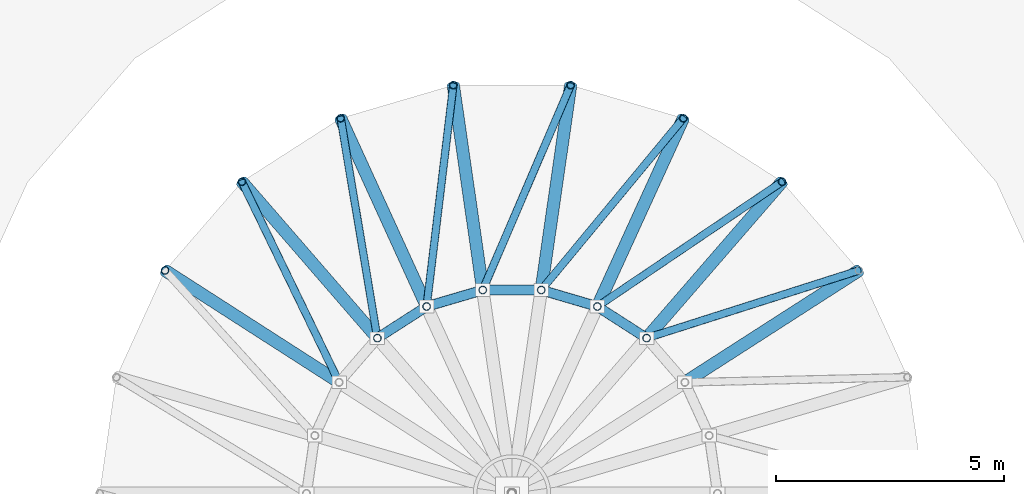
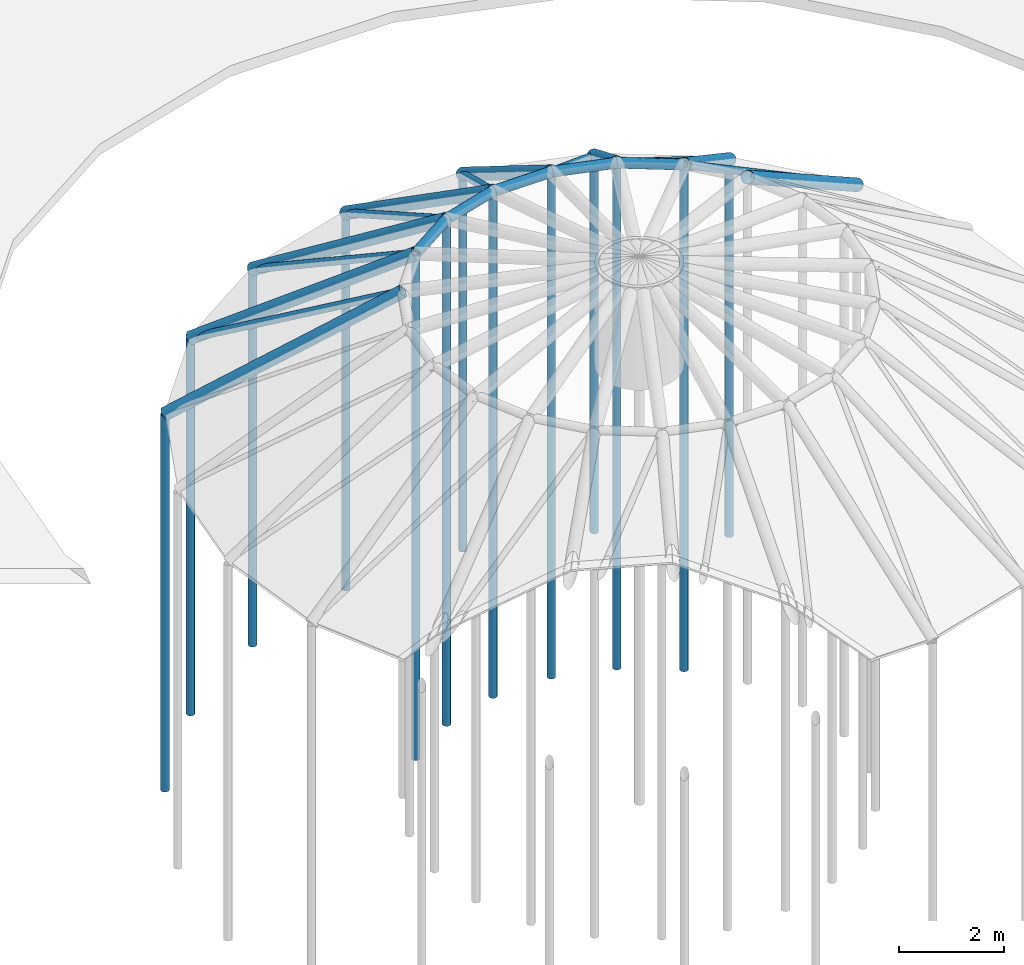
# One storey, part 4 of 8: 20 members, 13 beams.
"""IFC4 building model written with IfcOpenShell, lengths in metres."""

import ifcopenshell
import ifcopenshell.guid

model = None  # the IFC model being written
_history = None  # IfcOwnerHistory: only IFC2X3 demands one
_inside = {}  # id of a spatial element -> (the spatial element, [elements in it])
_under = {}  # id of a project, library or spatial element -> (it, [spatial elements below it])
_declared = {}  # id of a project -> (the project, [libraries it declares])
_typed = {}  # id of a type object -> (the type object, [elements of that type])
_made_of = {}  # id of a material, layer set ... -> (it, [elements and type objects made of it])


def new_model(schema):
    """Start an empty IFC model of exactly this schema.

    Asked for "IFC4X3", IfcOpenShell would pick the latest addendum, in which some entities
    have other attributes; the version numbers below select the first issue.
    IFC2X3 requires an IfcOwnerHistory on every rooted entity: one is made here for all.
    """
    global model, _history
    if schema == "IFC4X3":
        model = ifcopenshell.file(schema_version=(4, 3, 0, 0))
    else:
        model = ifcopenshell.file(schema=schema)
    _inside.clear()
    _under.clear()
    _declared.clear()
    _typed.clear()
    _made_of.clear()
    _history = None
    if model.schema == "IFC2X3":
        org = make("IfcOrganization", Name="unknown")
        user = make(
            "IfcPersonAndOrganization",
            ThePerson=make("IfcPerson", FamilyName="unknown"),
            TheOrganization=org,
        )
        app = make(
            "IfcApplication",
            ApplicationDeveloper=org,
            Version="unknown",
            ApplicationFullName="unknown",
            ApplicationIdentifier="unknown",
        )
        _history = make(
            "IfcOwnerHistory",
            OwningUser=user,
            OwningApplication=app,
            ChangeAction="ADDED",
            CreationDate=0,
        )
    return model


def make(cls, **values):
    """One entity of the class cls with the attributes given. An attribute that is None is left unset."""
    return model.create_entity(
        cls, **{name: value for name, value in values.items() if value is not None}
    )


def rooted(cls, **values):
    """An entity with a GlobalId (a new one), such as an element, a storey or a relation."""
    return make(cls, GlobalId=ifcopenshell.guid.new(), OwnerHistory=_history, **values)


def si_unit(unit_type, name, prefix=None):
    """IfcSIUnit, for example si_unit("LENGTHUNIT", "METRE", prefix="MILLI")."""
    return make("IfcSIUnit", UnitType=unit_type, Prefix=prefix, Name=name)


def assignment(units):
    """IfcUnitAssignment: the units of a project."""
    return None if units is None else make("IfcUnitAssignment", Units=units)


def point(xyz):
    """IfcCartesianPoint."""
    return None if xyz is None else make("IfcCartesianPoint", Coordinates=xyz)


def direction(xyz):
    """IfcDirection."""
    return None if xyz is None else make("IfcDirection", DirectionRatios=xyz)


def frame(location, z_axis=None, x_axis=None):
    """IfcAxis2Placement3D, a coordinate frame: its origin and axes. An axis left out is left unset."""
    return make(
        "IfcAxis2Placement3D",
        Location=point(location),
        Axis=direction(z_axis),
        RefDirection=direction(x_axis),
    )


def frame_2d(location, x_axis=None):
    """IfcAxis2Placement2D, a coordinate frame in the plane: its origin and x axis."""
    return make(
        "IfcAxis2Placement2D", Location=point(location), RefDirection=direction(x_axis)
    )


def origin():
    """The frame at (0, 0, 0) with its axes left unset."""
    return frame((0.0, 0.0, 0.0))


def origin_2d():
    """The frame at (0, 0) in the plane with its x axis left unset."""
    return frame_2d((0.0, 0.0))


def place(relative_to, where):
    """IfcLocalPlacement: puts the frame where relative to a parent placement (None: the world)."""
    return make(
        "IfcLocalPlacement", PlacementRelTo=relative_to, RelativePlacement=where
    )


def context(
    kind, dimensions, precision=None, world=None, true_north=None, identifier=None
):
    """IfcGeometricRepresentationContext, for example the 3D "Model" context."""
    return make(
        "IfcGeometricRepresentationContext",
        ContextIdentifier=identifier,
        ContextType=kind,
        CoordinateSpaceDimension=dimensions,
        Precision=precision,
        WorldCoordinateSystem=world,
        TrueNorth=true_north,
    )


def subcontext(parent, identifier, kind, view, scale=None):
    """IfcGeometricRepresentationSubContext, for example "Body" below "Model"."""
    return make(
        "IfcGeometricRepresentationSubContext",
        ContextIdentifier=identifier,
        ContextType=kind,
        ParentContext=parent,
        TargetScale=scale,
        TargetView=view,
    )


def project(units=None, contexts=None):
    """IfcProject with its units and contexts."""
    return rooted(
        "IfcProject",
        Name="project",
        RepresentationContexts=contexts,
        UnitsInContext=assignment(units),
    )


def spatial(cls, under=None, at=None, **own):
    """A site, building, storey or space (cls), placed at a placement, below another one or the project."""
    s = rooted(cls, ObjectPlacement=at, **own)
    if under is not None:
        _under.setdefault(under.id(), (under, []))[1].append(s)
    return s


def profile(cls, at=None, kind="AREA", **sizes):
    """A parametric profile (cls). Its sizes go by their IFC names, for example OverallWidth=200.0."""
    return make(cls, ProfileType=kind, Position=at, **sizes)


def hollow_circle(**sizes):
    """IfcCircleHollowProfileDef."""
    return profile("IfcCircleHollowProfileDef", **sizes)


def extrude(swept, where, along, depth):
    """IfcExtrudedAreaSolid: the profile swept, set in the frame where, extruded along a direction by depth."""
    return make(
        "IfcExtrudedAreaSolid",
        SweptArea=swept,
        Position=where,
        ExtrudedDirection=direction(along),
        Depth=depth,
    )


def shape(context_of_items, identifier, shape_type, items):
    """IfcShapeRepresentation: the items that make up one representation, for example the "Body"."""
    return make(
        "IfcShapeRepresentation",
        ContextOfItems=context_of_items,
        RepresentationIdentifier=identifier,
        RepresentationType=shape_type,
        Items=items,
    )


def material(Name=None, Category=None):
    """IfcMaterial."""
    return make("IfcMaterial", Name=Name, Category=Category)


def material_profile(
    of_material, cross_section, Name=None, Category=None, Priority=None
):
    """IfcMaterialProfile: a cross section and its material."""
    return make(
        "IfcMaterialProfile",
        Name=Name,
        Material=of_material,
        Profile=cross_section,
        Priority=Priority,
        Category=Category,
    )


def profile_set(profiles, Name=None, composite=None):
    """IfcMaterialProfileSet."""
    return make(
        "IfcMaterialProfileSet",
        Name=Name,
        MaterialProfiles=profiles,
        CompositeProfile=composite,
    )


def made_of(thing, what):
    """Note that an element or type object is made of a material, layer set ...; save() writes the relation."""
    if what is not None:
        _made_of.setdefault(what.id(), (what, []))[1].append(thing)
    return thing


def type_object(cls, material=None, **own):
    """A type object (cls), such as IfcWallType, which elements share."""
    return made_of(rooted(cls, **own), material)


def element(
    cls,
    number,
    at=None,
    inside=None,
    cuts=None,
    type_object=None,
    material=None,
    context=None,
    identifier="Body",
    shape_type=None,
    held_by="IfcProductDefinitionShape",
    body=None,
    shapes=None,
    **own,
):
    """One element of the class cls, such as IfcWall. Its Tag is "e" and its number.

    at: its placement. inside: the storey or other place that contains it. cuts: it is an
    opening in that element (IfcRelVoidsElement). A single representation is given by context,
    identifier, shape_type and body (its items); several are given by shapes. held_by: the class
    of the entity that holds the representations. save() writes the other relations.
    """
    e = rooted(cls, Tag="e%d" % number, ObjectPlacement=at, **own)
    if body is not None:
        shapes = [shape(context, identifier, shape_type, body)]
    if shapes is not None:
        e.Representation = make(held_by, Representations=shapes)
    if inside is not None:
        _inside.setdefault(inside.id(), (inside, []))[1].append(e)
    if cuts is not None:
        rooted(
            "IfcRelVoidsElement", RelatingBuildingElement=cuts, RelatedOpeningElement=e
        )
    if type_object is not None:
        _typed.setdefault(type_object.id(), (type_object, []))[1].append(e)
    return made_of(e, material)


def aggregate(whole, parts):
    """IfcRelAggregates: a whole, such as a stair, and the parts it consists of."""
    return rooted("IfcRelAggregates", RelatingObject=whole, RelatedObjects=parts)


def save(model, path):
    """Write the relations noted so far, then the file.

    IfcRelAggregates (storeys below a building ...), IfcRelContainedInSpatialStructure (elements
    in a storey), IfcRelDefinesByType, IfcRelAssociatesMaterial and IfcRelDeclares: one each for
    every whole, place, type object, material and project.
    """
    for whole, parts in _under.values():
        aggregate(whole, parts)
    for where, things in _inside.values():
        rooted(
            "IfcRelContainedInSpatialStructure",
            RelatedElements=things,
            RelatingStructure=where,
        )
    for kind, things in _typed.values():
        rooted("IfcRelDefinesByType", RelatedObjects=things, RelatingType=kind)
    for what, things in _made_of.values():
        rooted("IfcRelAssociatesMaterial", RelatedObjects=things, RelatingMaterial=what)
    for by, libraries in _declared.values():
        rooted("IfcRelDeclares", RelatingContext=by, RelatedDefinitions=libraries)
    model.write(path)


model = new_model("IFC4")

# Units and contexts
model_context = context("Model", 3, precision=1e-05, world=origin(), true_north=direction((0.0, 1.0)))
body_context = subcontext(model_context, "Body", "Model", "MODEL_VIEW")
ifc_project = project(units=[si_unit("LENGTHUNIT", "METRE"), si_unit("AREAUNIT", "SQUARE_METRE"), si_unit("VOLUMEUNIT", "CUBIC_METRE"), si_unit("PLANEANGLEUNIT", "RADIAN"), si_unit("MASSUNIT", "GRAM", prefix="KILO")], contexts=[model_context])

# Site, building, storey
site_placement = place(None, origin())
site = spatial("IfcSite", under=ifc_project, at=site_placement, CompositionType="ELEMENT")
building_placement = place(site_placement, origin())
building = spatial("IfcBuilding", under=site, at=building_placement, Name="Pelvatis Terrace Science Centre", CompositionType="ELEMENT")
storey_placement = place(building_placement, frame((0.0, 0.0, 28.800048828125)))
storey = spatial("IfcBuildingStorey", under=building, at=storey_placement, Name="RF", CompositionType="ELEMENT", Elevation=28.800048828125)

# Beams
ifc_material_1 = material(Name="Structural steel S355", Category="steel")
ifc_material_profile_1 = material_profile(ifc_material_1, hollow_circle(Radius=0.136474609375, WallThickness=0.010009765625, at=origin_2d()), Name="CHS 273.0x10.0")
ifc_profile_set_1 = profile_set([ifc_material_profile_1], Name="Structural steel S355")
beam_type_1 = type_object("IfcBeamType", Name="BM-DOME-CHS273", PredefinedType="BEAM", material=ifc_profile_set_1)
for number, where, z_axis, x_axis, name in (
    (1, (116.824951171875, 90.7001953125, -1.447265625), (-0.701537590524, -0.4508317879, 0.551901900795), (0.540624654111, -0.841263920163, 0.0), "Planetarium meridional dome rib 03.3"),
    (2, (115.135498046875, 92.64990234375, -1.447265625), (-0.546083920852, -0.630234557836, 0.551902847878), (0.755759919963, -0.654848794286, 0.0), "Planetarium meridional dome rib 04.3"),
):
    element("IfcBeam", number, at=place(storey_placement, frame(where, z_axis=z_axis, x_axis=x_axis)), inside=storey, type_object=beam_type_1, Name=name, PredefinedType="BEAM", context=body_context, shape_type="SweptSolid", body=[
        extrude(hollow_circle(Radius=0.136474609375, WallThickness=0.010009765625, at=origin_2d()), origin(), (0.0, 0.0, 1.0), 5.454345703125),
    ])
for number, where, z_axis, x_axis, name in (
    (3, (112.965087890625, 94.044677734375, -1.447265625), (-0.346414697802, -0.758540311273, 0.551917976986), (0.90963156718, -0.415415950573, 0.0), "Planetarium meridional dome rib 05.3"),
    (4, (110.489990234375, 94.771484375, -1.447265625), (-0.118708453569, -0.825408704302, 0.551913737747), (0.989815934505, -0.142353137652, 0.0), "Planetarium meridional dome rib 06.3"),
    (5, (107.91015625, 94.771484375, -1.447265625), (0.118664322127, -0.825413089411, 0.551916669872), (0.98982349653, 0.142300547142, 0.0), "Planetarium meridional dome rib 07.3"),
    (6, (105.434814453125, 94.044677734375, -1.447265625), (0.346414697802, -0.758540311273, 0.551917976986), (0.90963156718, 0.415415950573, 0.0), "Planetarium meridional dome rib 08.3"),
    (7, (103.2646484375, 92.64990234375, -1.447265625), (0.546052506789, -0.63024996275, 0.551916338119), (0.755786485047, 0.65481813431, 0.0), "Planetarium meridional dome rib 09.3"),
    (8, (101.5751953125, 90.7001953125, -1.447265625), (0.701514857853, -0.450845944889, 0.551919231581), (0.54064906726, 0.841248230947, 0.0), "Planetarium meridional dome rib 10.3"),
):
    element("IfcBeam", number, at=place(storey_placement, frame(where, z_axis=z_axis, x_axis=x_axis)), inside=storey, type_object=beam_type_1, Name=name, PredefinedType="BEAM", context=body_context, shape_type="SweptSolid", body=[
        extrude(hollow_circle(Radius=0.136474609375, WallThickness=0.010009765625, at=origin_2d()), origin(), (0.0, 0.0, 1.0), 5.4541015625),
    ])
ifc_material_2 = material(Name="Structural steel S355", Category="steel")
ifc_material_profile_2 = material_profile(ifc_material_2, hollow_circle(Radius=0.109619140625, WallThickness=0.008056640625, at=origin_2d()), Name="CHS 219.1x8.0")
ifc_profile_set_2 = profile_set([ifc_material_profile_2], Name="Structural steel S355")
beam_type_2 = type_object("IfcBeamType", Name="BM-HOOP-CHS219", PredefinedType="BEAM", material=ifc_profile_set_2)
beam_1_placement = place(storey_placement, frame((112.156982421875, 89.21240234375, 1.56298828125), z_axis=(-0.84119698785, 0.540728793048, 0.0), x_axis=(-0.540728793048, -0.84119698785, 0.0)))
element("IfcBeam", 9, at=beam_1_placement, inside=storey, type_object=beam_type_2, Name="Planetarium dome hoop ring 4.04", PredefinedType="BEAM", context=body_context, shape_type="SweptSolid", body=[
    extrude(hollow_circle(Radius=0.109619140625, WallThickness=0.008056640625, at=origin_2d()), origin(), (0.0, 0.0, 1.0), 1.285400390625),
])
for number, where, z_axis, x_axis, name in (
    (10, (111.07568359375, 89.907470703125, 1.56298828125), (-0.959498489301, 0.281713771458, 0.0), (-0.281713771458, -0.959498489301, 0.0), "Planetarium dome hoop ring 4.05"),
    (11, (109.842529296875, 90.26953125, 1.56298828125), (-1.0, 0.0, 0.0), (0.0, -1.0, 0.0), "Planetarium dome hoop ring 4.06"),
    (12, (108.557373046875, 90.26953125, 1.56298828125), (-0.959498489301, -0.281713771458, 0.0), (0.281713771458, -0.959498489301, 0.0), "Planetarium dome hoop ring 4.07"),
):
    element("IfcBeam", number, at=place(storey_placement, frame(where, z_axis=z_axis, x_axis=x_axis)), inside=storey, type_object=beam_type_2, Name=name, PredefinedType="BEAM", context=body_context, shape_type="SweptSolid", body=[
        extrude(hollow_circle(Radius=0.109619140625, WallThickness=0.008056640625, at=origin_2d()), origin(), (0.0, 0.0, 1.0), 1.28515625),
    ])
beam_2_placement = place(storey_placement, frame((107.32421875, 89.907470703125, 1.56298828125), z_axis=(-0.84119698785, -0.540728793048, 0.0), x_axis=(0.540728793048, -0.84119698785, 0.0)))
element("IfcBeam", 13, at=beam_2_placement, inside=storey, type_object=beam_type_2, Name="Planetarium dome hoop ring 4.08", PredefinedType="BEAM", context=body_context, shape_type="SweptSolid", body=[
    extrude(hollow_circle(Radius=0.109619140625, WallThickness=0.008056640625, at=origin_2d()), origin(), (0.0, 0.0, 1.0), 1.285400390625),
])

# Members
ifc_material_3 = material(Name="Structural steel S355", Category="steel")
ifc_material_profile_3 = material_profile(ifc_material_3, hollow_circle(Radius=0.084228515625, WallThickness=0.00634765625, at=origin_2d()), Name="CHS 168.3x6.3")
ifc_profile_set_3 = profile_set([ifc_material_profile_3], Name="Structural steel S355")
member_type_1 = type_object("IfcMemberType", Name="MEM-BRC-CHS168", PredefinedType="BRACE", material=ifc_profile_set_3)
for number, where, z_axis, x_axis, name in (
    (14, (116.824951171875, 90.7001953125, -1.447265625), (-0.811788871812, -0.258736474102, 0.523501924134), (0.303672578017, -0.952776450885, 0.0), "Planetarium dome lateral brace 3.03"),
    (15, (115.135498046875, 92.64990234375, -1.447265625), (-0.706031696841, -0.476929102809, 0.523505371462), (0.559761242521, -0.828653939453, 0.0), "Planetarium dome lateral brace 3.04"),
):
    element("IfcMember", number, at=place(storey_placement, frame(where, z_axis=z_axis, x_axis=x_axis)), inside=storey, type_object=member_type_1, Name=name, PredefinedType="BRACE", context=body_context, shape_type="SweptSolid", body=[
        extrude(hollow_circle(Radius=0.084228515625, WallThickness=0.00634765625, at=origin_2d()), origin(), (0.0, 0.0, 1.0), 5.750244140625),
    ])
member_1_placement = place(storey_placement, frame((112.965087890625, 94.044677734375, -1.447265625), z_axis=(-0.543043553139, -0.656534985316, 0.523512666943), x_axis=(0.770564787212, -0.637361678099, 0.0)))
element("IfcMember", 16, at=member_1_placement, inside=storey, type_object=member_type_1, Name="Planetarium dome lateral brace 3.05", PredefinedType="BRACE", context=body_context, shape_type="SweptSolid", body=[
    extrude(hollow_circle(Radius=0.084228515625, WallThickness=0.00634765625, at=origin_2d()), origin(), (0.0, 0.0, 1.0), 5.75),
])
member_2_placement = place(storey_placement, frame((110.489990234375, 94.771484375, -1.447265625), z_axis=(-0.336098596152, -0.782928008217, 0.523508803759), x_axis=(0.918907730432, -0.394472537641, 0.0)))
element("IfcMember", 17, at=member_2_placement, inside=storey, type_object=member_type_1, Name="Planetarium dome lateral brace 3.06", PredefinedType="BRACE", context=body_context, shape_type="SweptSolid", body=[
    extrude(hollow_circle(Radius=0.084228515625, WallThickness=0.00634765625, at=origin_2d()), origin(), (0.0, 0.0, 1.0), 5.750244140625),
])
member_3_placement = place(storey_placement, frame((107.91015625, 94.771484375, -1.447265625), z_axis=(-0.101900509101, -0.845901601174, 0.523513865506), x_axis=(0.992822264303, -0.119599128361, 0.0)))
element("IfcMember", 18, at=member_3_placement, inside=storey, type_object=member_type_1, Name="Planetarium dome lateral brace 3.07", PredefinedType="BRACE", context=body_context, shape_type="SweptSolid", body=[
    extrude(hollow_circle(Radius=0.084228515625, WallThickness=0.00634765625, at=origin_2d()), origin(), (0.0, 0.0, 1.0), 5.75),
])
member_4_placement = place(storey_placement, frame((105.434814453125, 94.044677734375, -1.447265625), z_axis=(0.140533602823, -0.840356979057, 0.523498284837), x_axis=(0.986303540869, 0.164940368831, 0.0)))
element("IfcMember", 19, at=member_4_placement, inside=storey, type_object=member_type_1, Name="Planetarium dome lateral brace 3.08", PredefinedType="BRACE", context=body_context, shape_type="SweptSolid", body=[
    extrude(hollow_circle(Radius=0.084228515625, WallThickness=0.00634765625, at=origin_2d()), origin(), (0.0, 0.0, 1.0), 5.750244140625),
])
member_5_placement = place(storey_placement, frame((103.2646484375, 92.64990234375, -1.447265625), z_axis=(0.371596205457, -0.766714382786, 0.523512478666), x_axis=(0.899880491093, 0.436136563188, 0.0)))
element("IfcMember", 20, at=member_5_placement, inside=storey, type_object=member_type_1, Name="Planetarium dome lateral brace 3.09", PredefinedType="BRACE", context=body_context, shape_type="SweptSolid", body=[
    extrude(hollow_circle(Radius=0.084228515625, WallThickness=0.00634765625, at=origin_2d()), origin(), (0.0, 0.0, 1.0), 5.75),
])
ifc_material_4 = material(Name="Structural steel S355", Category="steel")
ifc_material_profile_4 = material_profile(ifc_material_4, hollow_circle(Radius=0.084228515625, WallThickness=0.00634765625, at=origin_2d()), Name="CHS 168.3x6.3")
ifc_profile_set_4 = profile_set([ifc_material_profile_4], Name="Structural steel S355")
member_type_2 = type_object("IfcMemberType", Name="MEM-STR-CHS168", PredefinedType="STRUT", material=ifc_profile_set_4)
member_6_placement = place(storey_placement, frame((115.135498046875, 92.64990234375, -10.199951171875), z_axis=(0.0, 0.0, 1.0), x_axis=(1.0, 0.0, 0.0)))
element("IfcMember", 21, at=member_6_placement, inside=storey, type_object=member_type_2, Name="Dome arch vertical web post 2.04", PredefinedType="STRUT", context=body_context, shape_type="SweptSolid", body=[
    extrude(hollow_circle(Radius=0.084228515625, WallThickness=0.00634765625, at=origin_2d()), origin(), (0.0, 0.0, 1.0), 8.752685546875),
])
member_7_placement = place(storey_placement, frame((112.156982421875, 89.21240234375, -10.199951171875), z_axis=(0.0, 0.0, 1.0), x_axis=(1.0, 0.0, 0.0)))
element("IfcMember", 22, at=member_7_placement, inside=storey, type_object=member_type_2, Name="Dome arch vertical web post 3.04", PredefinedType="STRUT", context=body_context, shape_type="SweptSolid", body=[
    extrude(hollow_circle(Radius=0.084228515625, WallThickness=0.00634765625, at=origin_2d()), origin(), (0.0, 0.0, 1.0), 11.762939453125),
])
member_8_placement = place(storey_placement, frame((112.965087890625, 94.044677734375, -10.199951171875), z_axis=(0.0, 0.0, 1.0), x_axis=(1.0, 0.0, 0.0)))
element("IfcMember", 23, at=member_8_placement, inside=storey, type_object=member_type_2, Name="Dome arch vertical web post 2.05", PredefinedType="STRUT", context=body_context, shape_type="SweptSolid", body=[
    extrude(hollow_circle(Radius=0.084228515625, WallThickness=0.00634765625, at=origin_2d()), origin(), (0.0, 0.0, 1.0), 8.752685546875),
])
member_9_placement = place(storey_placement, frame((111.07568359375, 89.907470703125, -10.199951171875), z_axis=(0.0, 0.0, 1.0), x_axis=(1.0, 0.0, 0.0)))
element("IfcMember", 24, at=member_9_placement, inside=storey, type_object=member_type_2, Name="Dome arch vertical web post 3.05", PredefinedType="STRUT", context=body_context, shape_type="SweptSolid", body=[
    extrude(hollow_circle(Radius=0.084228515625, WallThickness=0.00634765625, at=origin_2d()), origin(), (0.0, 0.0, 1.0), 11.762939453125),
])
member_10_placement = place(storey_placement, frame((110.489990234375, 94.771484375, -10.199951171875), z_axis=(0.0, 0.0, 1.0), x_axis=(1.0, 0.0, 0.0)))
element("IfcMember", 25, at=member_10_placement, inside=storey, type_object=member_type_2, Name="Dome arch vertical web post 2.06", PredefinedType="STRUT", context=body_context, shape_type="SweptSolid", body=[
    extrude(hollow_circle(Radius=0.084228515625, WallThickness=0.00634765625, at=origin_2d()), origin(), (0.0, 0.0, 1.0), 8.752685546875),
])
member_11_placement = place(storey_placement, frame((109.842529296875, 90.26953125, -10.199951171875), z_axis=(0.0, 0.0, 1.0), x_axis=(1.0, 0.0, 0.0)))
element("IfcMember", 26, at=member_11_placement, inside=storey, type_object=member_type_2, Name="Dome arch vertical web post 3.06", PredefinedType="STRUT", context=body_context, shape_type="SweptSolid", body=[
    extrude(hollow_circle(Radius=0.084228515625, WallThickness=0.00634765625, at=origin_2d()), origin(), (0.0, 0.0, 1.0), 11.762939453125),
])
member_12_placement = place(storey_placement, frame((107.91015625, 94.771484375, -10.199951171875), z_axis=(0.0, 0.0, 1.0), x_axis=(1.0, 0.0, 0.0)))
element("IfcMember", 27, at=member_12_placement, inside=storey, type_object=member_type_2, Name="Dome arch vertical web post 2.07", PredefinedType="STRUT", context=body_context, shape_type="SweptSolid", body=[
    extrude(hollow_circle(Radius=0.084228515625, WallThickness=0.00634765625, at=origin_2d()), origin(), (0.0, 0.0, 1.0), 8.752685546875),
])
member_13_placement = place(storey_placement, frame((108.557373046875, 90.26953125, -10.199951171875), z_axis=(0.0, 0.0, 1.0), x_axis=(1.0, 0.0, 0.0)))
element("IfcMember", 28, at=member_13_placement, inside=storey, type_object=member_type_2, Name="Dome arch vertical web post 3.07", PredefinedType="STRUT", context=body_context, shape_type="SweptSolid", body=[
    extrude(hollow_circle(Radius=0.084228515625, WallThickness=0.00634765625, at=origin_2d()), origin(), (0.0, 0.0, 1.0), 11.762939453125),
])
member_14_placement = place(storey_placement, frame((105.434814453125, 94.044677734375, -10.199951171875), z_axis=(0.0, 0.0, 1.0), x_axis=(1.0, 0.0, 0.0)))
element("IfcMember", 29, at=member_14_placement, inside=storey, type_object=member_type_2, Name="Dome arch vertical web post 2.08", PredefinedType="STRUT", context=body_context, shape_type="SweptSolid", body=[
    extrude(hollow_circle(Radius=0.084228515625, WallThickness=0.00634765625, at=origin_2d()), origin(), (0.0, 0.0, 1.0), 8.752685546875),
])
member_15_placement = place(storey_placement, frame((107.32421875, 89.907470703125, -10.199951171875), z_axis=(0.0, 0.0, 1.0), x_axis=(1.0, 0.0, 0.0)))
element("IfcMember", 30, at=member_15_placement, inside=storey, type_object=member_type_2, Name="Dome arch vertical web post 3.08", PredefinedType="STRUT", context=body_context, shape_type="SweptSolid", body=[
    extrude(hollow_circle(Radius=0.084228515625, WallThickness=0.00634765625, at=origin_2d()), origin(), (0.0, 0.0, 1.0), 11.762939453125),
])
member_16_placement = place(storey_placement, frame((103.2646484375, 92.64990234375, -10.199951171875), z_axis=(0.0, 0.0, 1.0), x_axis=(1.0, 0.0, 0.0)))
element("IfcMember", 31, at=member_16_placement, inside=storey, type_object=member_type_2, Name="Dome arch vertical web post 2.09", PredefinedType="STRUT", context=body_context, shape_type="SweptSolid", body=[
    extrude(hollow_circle(Radius=0.084228515625, WallThickness=0.00634765625, at=origin_2d()), origin(), (0.0, 0.0, 1.0), 8.752685546875),
])
member_17_placement = place(storey_placement, frame((106.242919921875, 89.21240234375, -10.199951171875), z_axis=(0.0, 0.0, 1.0), x_axis=(1.0, 0.0, 0.0)))
element("IfcMember", 32, at=member_17_placement, inside=storey, type_object=member_type_2, Name="Dome arch vertical web post 3.09", PredefinedType="STRUT", context=body_context, shape_type="SweptSolid", body=[
    extrude(hollow_circle(Radius=0.084228515625, WallThickness=0.00634765625, at=origin_2d()), origin(), (0.0, 0.0, 1.0), 11.762939453125),
])
member_18_placement = place(storey_placement, frame((101.5751953125, 90.7001953125, -10.199951171875), z_axis=(0.0, 0.0, 1.0), x_axis=(1.0, 0.0, 0.0)))
element("IfcMember", 33, at=member_18_placement, inside=storey, type_object=member_type_2, Name="Dome arch vertical web post 2.10", PredefinedType="STRUT", context=body_context, shape_type="SweptSolid", body=[
    extrude(hollow_circle(Radius=0.084228515625, WallThickness=0.00634765625, at=origin_2d()), origin(), (0.0, 0.0, 1.0), 8.752685546875),
])

save(model, "model.ifc")
